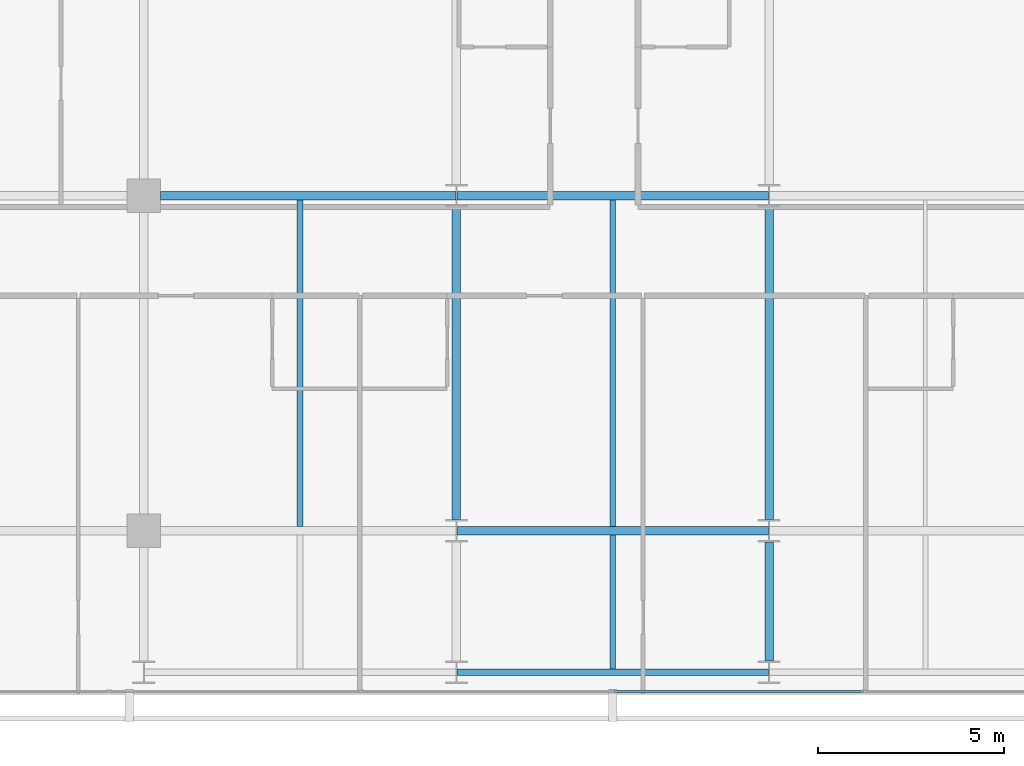
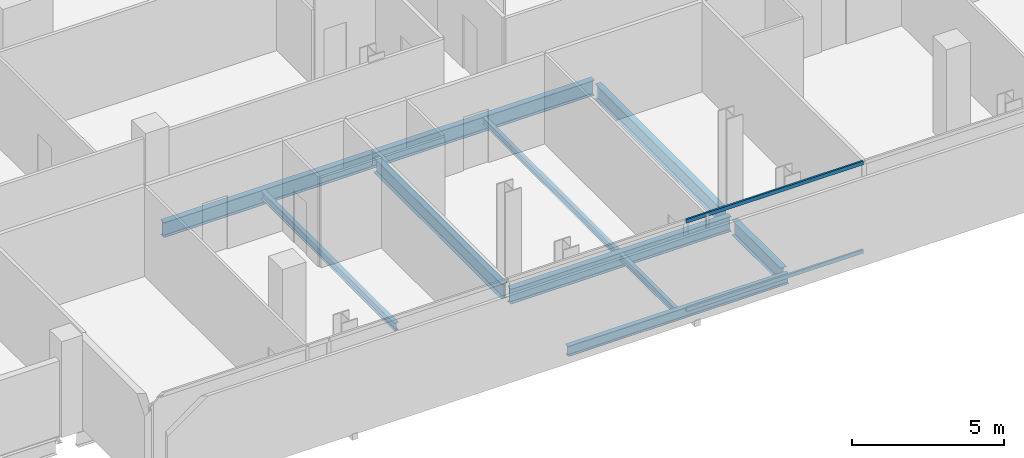
# One storey, part 7 of 32: 10 beams, 2 members, 1 element without a shape of its own.
"""IFC4 building model written with IfcOpenShell, lengths in metres."""

from ifc_helpers import new_model, si_unit, direction, frame, origin, origin_2d, place, context, subcontext, project, spatial, hollow_rectangle, i_section, extrude, material, layer, layer_set, material_profile, profile_set, type_object, element, aggregate, save


model = new_model("IFC4")

# Units and contexts
model_context = context("Model", 3, precision=1e-05, world=origin(), true_north=direction((0.0, 1.0)))
body_context = subcontext(model_context, "Body", "Model", "MODEL_VIEW")
ifc_project = project(units=[si_unit("LENGTHUNIT", "METRE"), si_unit("AREAUNIT", "SQUARE_METRE"), si_unit("VOLUMEUNIT", "CUBIC_METRE"), si_unit("PLANEANGLEUNIT", "RADIAN"), si_unit("MASSUNIT", "GRAM", prefix="KILO")], contexts=[model_context])

# Site, building, storey
site_placement = place(None, origin())
site = spatial("IfcSite", under=ifc_project, at=site_placement, CompositionType="ELEMENT")
building_placement = place(site_placement, origin())
building = spatial("IfcBuilding", under=site, at=building_placement, Name="Maruvema Waterfront Hotel and Observation Tower", CompositionType="ELEMENT")
storey_placement = place(building_placement, frame((0.0, 0.0, 162.050048828125)))
storey = spatial("IfcBuildingStorey", under=building, at=storey_placement, Name="L39", CompositionType="ELEMENT", Elevation=162.050048828125)

# Curtain wall, members
ifc_material_1 = material(Name="Anodised bronze aluminium and solar-control low-E IGU", Category="aluminium")
ifc_layer = layer(ifc_material_1, 0.159912109375, Name="Zone 2 Amber Inner Thermal Curtain Wall System CW-03")
ifc_layer_set = layer_set([ifc_layer], Name="Anodised bronze aluminium and solar-control low-E IGU")
curtain_wall_type = type_object("IfcCurtainWallType", Name="Zone 2 Amber Inner Thermal Curtain Wall System CW-03", PredefinedType="USERDEFINED", material=ifc_layer_set)
curtain_wall_placement = place(storey_placement, origin())
curtain_wall = element("IfcCurtainWall", 1, at=curtain_wall_placement, inside=storey, type_object=curtain_wall_type, Name="L39 Curtain Wall CW-L39-S", ObjectType="UNITISED CURTAIN WALL", PredefinedType="USERDEFINED")
ifc_material_2 = material(Name="Anodised architectural bronze aluminium", Category="aluminium")
ifc_material_profile_1 = material_profile(ifc_material_2, hollow_rectangle(XDim=0.070068359375, YDim=0.14990234375, WallThickness=0.00390625, at=origin_2d()), Name="ALU-T70x150")
ifc_profile_set_1 = profile_set([ifc_material_profile_1], Name="Anodised architectural bronze aluminium")
member_type = type_object("IfcMemberType", Name="Curtain Wall Horizontal Transom ALU-T70x150", PredefinedType="USERDEFINED", material=ifc_profile_set_1)
member_1_placement = place(storey_placement, frame((37.830078125, 4.679931640625, 0.030029296875), z_axis=(1.0, 0.0, 0.0), x_axis=(0.0, 1.0, 0.0)))
member_1 = element("IfcMember", 2, at=member_1_placement, type_object=member_type, Name="CW-03 transom 4.1", ObjectType="TRANSOM", PredefinedType="USERDEFINED", context=body_context, shape_type="SweptSolid", body=[
    extrude(hollow_rectangle(XDim=0.070068359375, YDim=0.14990234375, WallThickness=0.00390625, at=origin_2d()), origin(), (0.0, 0.0, 1.0), 6.70654296875),
])
member_2_placement = place(storey_placement, frame((37.830078125, 4.679931640625, 3.579833984375), z_axis=(1.0, 0.0, 0.0), x_axis=(0.0, 1.0, 0.0)))
member_2 = element("IfcMember", 3, at=member_2_placement, type_object=member_type, Name="CW-03 transom 4.2", ObjectType="TRANSOM", PredefinedType="USERDEFINED", context=body_context, shape_type="SweptSolid", body=[
    extrude(hollow_rectangle(XDim=0.070068359375, YDim=0.14990234375, WallThickness=0.00390625, at=origin_2d()), origin(), (0.0, 0.0, 1.0), 6.70654296875),
])
aggregate(curtain_wall, [member_1, member_2])

# Beams
ifc_material_3 = material(Name="Steel ASTM A572 Grade 50", Category="steel")
ifc_material_profile_2 = material_profile(ifc_material_3, i_section(OverallWidth=0.180908203125, OverallDepth=0.4169921875, WebThickness=0.010986328125, FlangeThickness=0.018310546875, FilletRadius=0.014892578125, at=origin_2d()), Name="W410x85.0")
ifc_profile_set_2 = profile_set([ifc_material_profile_2], Name="Steel ASTM A572 Grade 50")
beam_type_1 = type_object("IfcBeamType", Name="Perimeter Spandrel Beam W410x85.0", PredefinedType="SPANDREL", material=ifc_profile_set_2)
beam_1_placement = place(storey_placement, frame((33.612548828125, 5.199951171875, -0.448486328125), z_axis=(1.0, 0.0, 0.0), x_axis=(0.0, 1.0, 0.0)))
element("IfcBeam", 4, at=beam_1_placement, inside=storey, type_object=beam_type_1, Name="L39 Floor Girder EW-02", PredefinedType="SPANDREL", context=body_context, shape_type="SweptSolid", body=[
    extrude(i_section(OverallWidth=0.180908203125, OverallDepth=0.4169921875, WebThickness=0.010986328125, FlangeThickness=0.018310546875, FilletRadius=0.014892578125, at=origin_2d()), origin(), (0.0, 0.0, 1.0), 8.375),
])
ifc_material_4 = material(Name="Steel ASTM A572 Grade 50", Category="steel")
ifc_material_profile_3 = material_profile(ifc_material_4, i_section(OverallWidth=0.22802734375, OverallDepth=0.60302734375, WebThickness=0.010498046875, FlangeThickness=0.014892578125, FilletRadius=0.01806640625, at=origin_2d()), Name="W610x101.0")
ifc_profile_set_3 = profile_set([ifc_material_profile_3], Name="Steel ASTM A572 Grade 50")
beam_type_2 = type_object("IfcBeamType", Name="Primary Floor Girder W610x101.0", PredefinedType="BEAM", material=ifc_profile_set_3)
beam_2_placement = place(storey_placement, frame((33.612548828125, 9.0, -0.54150390625), z_axis=(1.0, 0.0, 0.0), x_axis=(0.0, 1.0, 0.0)))
element("IfcBeam", 5, at=beam_2_placement, inside=storey, type_object=beam_type_2, Name="L39 Floor Girder EW-07", PredefinedType="BEAM", context=body_context, shape_type="SweptSolid", body=[
    extrude(i_section(OverallWidth=0.22802734375, OverallDepth=0.60302734375, WebThickness=0.010498046875, FlangeThickness=0.014892578125, FilletRadius=0.01806640625, at=origin_2d()), origin(), (0.0, 0.0, 1.0), 8.375),
])
beam_3_placement = place(storey_placement, frame((25.64990234375, 18.0, -0.54150390625), z_axis=(1.0, 0.0, 0.0), x_axis=(0.0, 1.0, 0.0)))
element("IfcBeam", 6, at=beam_3_placement, inside=storey, type_object=beam_type_2, Name="L39 Floor Girder EW-13", PredefinedType="BEAM", context=body_context, shape_type="SweptSolid", body=[
    extrude(i_section(OverallWidth=0.22802734375, OverallDepth=0.60302734375, WebThickness=0.010498046875, FlangeThickness=0.014892578125, FilletRadius=0.01806640625, at=origin_2d()), origin(), (0.0, 0.0, 1.0), 7.9375),
])
beam_4_placement = place(storey_placement, frame((33.612548828125, 18.0, -0.54150390625), z_axis=(1.0, 0.0, 0.0), x_axis=(0.0, 1.0, 0.0)))
element("IfcBeam", 7, at=beam_4_placement, inside=storey, type_object=beam_type_2, Name="L39 Floor Girder EW-14", PredefinedType="BEAM", context=body_context, shape_type="SweptSolid", body=[
    extrude(i_section(OverallWidth=0.22802734375, OverallDepth=0.60302734375, WebThickness=0.010498046875, FlangeThickness=0.014892578125, FilletRadius=0.01806640625, at=origin_2d()), origin(), (0.0, 0.0, 1.0), 8.375),
])
beam_5_placement = place(storey_placement, frame((33.60009765625, 9.300048828125, -0.54150390625), z_axis=(0.0, 1.0, 0.0), x_axis=(-1.0, 0.0, 0.0)))
element("IfcBeam", 8, at=beam_5_placement, inside=storey, type_object=beam_type_2, Name="L39 Floor Girder NS-15", PredefinedType="BEAM", context=body_context, shape_type="SweptSolid", body=[
    extrude(i_section(OverallWidth=0.22802734375, OverallDepth=0.60302734375, WebThickness=0.010498046875, FlangeThickness=0.014892578125, FilletRadius=0.01806640625, at=origin_2d()), origin(), (0.0, 0.0, 1.0), 8.39990234375),
])
beam_6_placement = place(storey_placement, frame((42.0, 5.5, -0.54150390625), z_axis=(0.0, 1.0, 0.0), x_axis=(-1.0, 0.0, 0.0)))
element("IfcBeam", 9, at=beam_6_placement, inside=storey, type_object=beam_type_2, Name="L39 Floor Girder NS-17", PredefinedType="BEAM", context=body_context, shape_type="SweptSolid", body=[
    extrude(i_section(OverallWidth=0.22802734375, OverallDepth=0.60302734375, WebThickness=0.010498046875, FlangeThickness=0.014892578125, FilletRadius=0.01806640625, at=origin_2d()), origin(), (0.0, 0.0, 1.0), 3.199951171875),
])
beam_7_placement = place(storey_placement, frame((42.0, 9.300048828125, -0.54150390625), z_axis=(0.0, 1.0, 0.0), x_axis=(-1.0, 0.0, 0.0)))
element("IfcBeam", 10, at=beam_7_placement, inside=storey, type_object=beam_type_2, Name="L39 Floor Girder NS-18", PredefinedType="BEAM", context=body_context, shape_type="SweptSolid", body=[
    extrude(i_section(OverallWidth=0.22802734375, OverallDepth=0.60302734375, WebThickness=0.010498046875, FlangeThickness=0.014892578125, FilletRadius=0.01806640625, at=origin_2d()), origin(), (0.0, 0.0, 1.0), 8.39990234375),
])
ifc_material_5 = material(Name="Steel ASTM A572 Grade 50", Category="steel")
ifc_material_profile_4 = material_profile(ifc_material_5, i_section(OverallWidth=0.14599609375, OverallDepth=0.258056640625, WebThickness=0.006103515625, FlangeThickness=0.009033203125, FilletRadius=0.012939453125, at=origin_2d()), Name="W250x32.7")
ifc_profile_set_4 = profile_set([ifc_material_profile_4], Name="Steel ASTM A572 Grade 50")
beam_type_3 = type_object("IfcBeamType", Name="Secondary Floor Joist W250x32.7", PredefinedType="JOIST", material=ifc_profile_set_4)
beam_8_placement = place(storey_placement, frame((37.800048828125, 9.114013671875, -0.369140625), z_axis=(0.0, 1.0, 0.0), x_axis=(-1.0, 0.0, 0.0)))
element("IfcBeam", 11, at=beam_8_placement, inside=storey, type_object=beam_type_3, Name="L39 Secondary Floor Joist JS-08", PredefinedType="JOIST", context=body_context, shape_type="SweptSolid", body=[
    extrude(i_section(OverallWidth=0.14599609375, OverallDepth=0.258056640625, WebThickness=0.006103515625, FlangeThickness=0.009033203125, FilletRadius=0.012939453125, at=origin_2d()), origin(), (0.0, 0.0, 1.0), 8.77197265625),
])
ifc_material_6 = material(Name="Steel ASTM A572 Grade 50", Category="steel")
ifc_material_profile_5 = material_profile(ifc_material_6, i_section(OverallWidth=0.14794921875, OverallDepth=0.26611328125, WebThickness=0.007568359375, FlangeThickness=0.012939453125, FilletRadius=0.012939453125, at=origin_2d()), Name="W250x44.8")
ifc_profile_set_5 = profile_set([ifc_material_profile_5], Name="Steel ASTM A572 Grade 50")
beam_type_4 = type_object("IfcBeamType", Name="Secondary Floor Joist W250x44.8", PredefinedType="JOIST", material=ifc_profile_set_5)
beam_9_placement = place(storey_placement, frame((37.800048828125, 5.29052734375, -0.373046875), z_axis=(0.0, 1.0, 0.0), x_axis=(-1.0, 0.0, 0.0)))
element("IfcBeam", 12, at=beam_9_placement, inside=storey, type_object=beam_type_4, Name="L39 Secondary Floor Joist JS-07", PredefinedType="JOIST", context=body_context, shape_type="SweptSolid", body=[
    extrude(i_section(OverallWidth=0.14794921875, OverallDepth=0.26611328125, WebThickness=0.007568359375, FlangeThickness=0.012939453125, FilletRadius=0.012939453125, at=origin_2d()), origin(), (0.0, 0.0, 1.0), 3.595458984375),
])
ifc_material_7 = material(Name="Steel ASTM A572 Grade 50", Category="steel")
ifc_material_profile_6 = material_profile(ifc_material_7, i_section(OverallWidth=0.1650390625, OverallDepth=0.31005859375, WebThickness=0.005859375, FlangeThickness=0.009765625, FilletRadius=0.012939453125, at=origin_2d()), Name="W310x38.7")
ifc_profile_set_6 = profile_set([ifc_material_profile_6], Name="Steel ASTM A572 Grade 50")
beam_type_5 = type_object("IfcBeamType", Name="Secondary Floor Joist W310x38.7", PredefinedType="JOIST", material=ifc_profile_set_6)
beam_10_placement = place(storey_placement, frame((29.39990234375, 9.114013671875, -0.39501953125), z_axis=(0.0, 1.0, 0.0), x_axis=(-1.0, 0.0, 0.0)))
element("IfcBeam", 13, at=beam_10_placement, inside=storey, type_object=beam_type_5, Name="L39 Secondary Floor Joist JS-06", PredefinedType="JOIST", context=body_context, shape_type="SweptSolid", body=[
    extrude(i_section(OverallWidth=0.1650390625, OverallDepth=0.31005859375, WebThickness=0.005859375, FlangeThickness=0.009765625, FilletRadius=0.012939453125, at=origin_2d()), origin(), (0.0, 0.0, 1.0), 8.77197265625),
])

save(model, "model.ifc")
